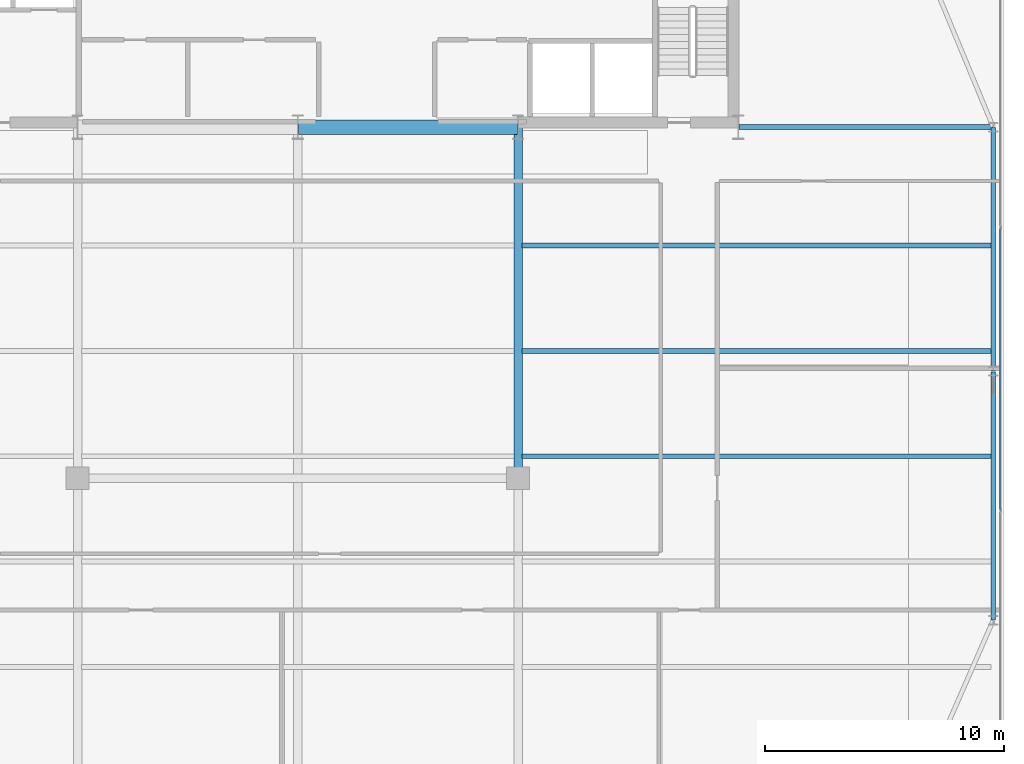
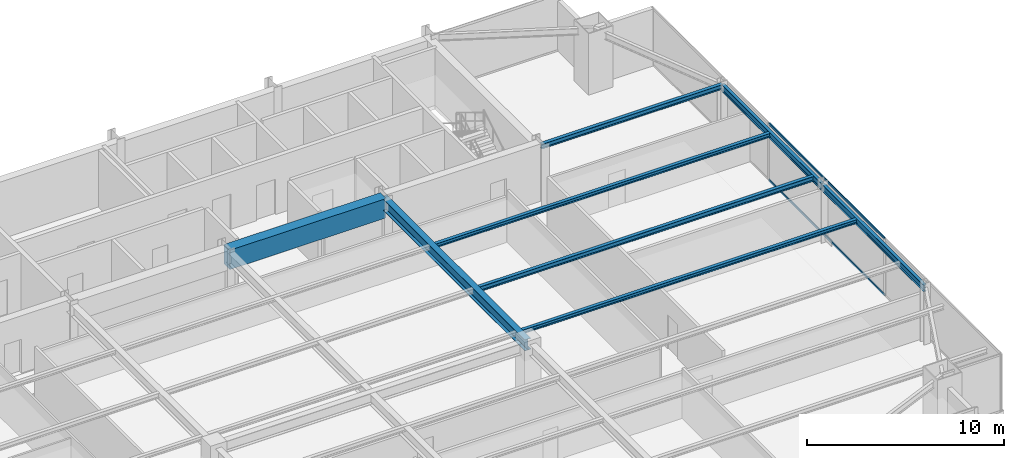
# One storey, part 19 of 33: 8 beams, 2 members, 1 element without a shape of its own.
"""IFC4 building model written with IfcOpenShell, lengths in metres."""

from ifc_helpers import new_model, si_unit, direction, frame, origin, origin_2d, place, context, subcontext, project, spatial, rectangle, hollow_rectangle, i_section, extrude, source, transform, mapped, material, layer, layer_set, material_profile, profile_set, type_object, type_shapes, element, aggregate, save


model = new_model("IFC4")

# Units and contexts
model_context = context("Model", 3, precision=1e-05, world=origin(), true_north=direction((0.0, 1.0)))
body_context = subcontext(model_context, "Body", "Model", "MODEL_VIEW")
ifc_project = project(units=[si_unit("LENGTHUNIT", "METRE"), si_unit("AREAUNIT", "SQUARE_METRE"), si_unit("VOLUMEUNIT", "CUBIC_METRE"), si_unit("PLANEANGLEUNIT", "RADIAN"), si_unit("MASSUNIT", "GRAM", prefix="KILO")], contexts=[model_context])

# Site, building, storey
site_placement = place(None, origin())
site = spatial("IfcSite", under=ifc_project, at=site_placement, CompositionType="ELEMENT")
building_placement = place(site_placement, origin())
building = spatial("IfcBuilding", under=site, at=building_placement, Name="Varnel Quay Broadcast Tower", CompositionType="ELEMENT")
storey_placement = place(building_placement, frame((0.0, 0.0, 129.60009765625)))
storey = spatial("IfcBuildingStorey", under=building, at=storey_placement, Name="L31", CompositionType="ELEMENT", Elevation=129.60009765625)

# Beams
ifc_material_1 = material(Name="Structural Steel CSA G40.21 350W", Category="steel")
ifc_material_profile_1 = material_profile(ifc_material_1, i_section(OverallWidth=0.180908203125, OverallDepth=0.4169921875, WebThickness=0.010986328125, FlangeThickness=0.018310546875, FilletRadius=0.011962890625, at=origin_2d()), Name="W410X85")
ifc_profile_set_1 = profile_set([ifc_material_profile_1], Name="Structural Steel CSA G40.21 350W")
beam_type_1 = type_object("IfcBeamType", Name="Beam_W410X85", PredefinedType="SPANDREL", material=ifc_profile_set_1)
shared_shape_1 = source(origin(), body_context, "Body", "SweptSolid", [
    extrude(i_section(OverallWidth=0.180908203125, OverallDepth=0.4169921875, WebThickness=0.010986328125, FlangeThickness=0.018310546875, FilletRadius=0.011962890625, at=origin_2d()), origin(), (0.0, 0.0, 1.0), 10.35986328125),
])
beam_1_placement = place(storey_placement, frame((63.050048828125, 15.02001953125, 3.34130859375), z_axis=(0.0, 1.0, 0.0), x_axis=(-1.0, 0.0, 0.0)))
element("IfcBeam", 1, at=beam_1_placement, inside=storey, type_object=beam_type_1, Name="L31 East Spandrel TC-E1-TC-E2", PredefinedType="SPANDREL", context=body_context, shape_type="MappedRepresentation", body=[
    mapped(shared_shape_1, transform((0.0, 0.0, 0.0), x_axis=(1.0, 0.0, 0.0), y_axis=(0.0, 1.0, 0.0), z_axis=(0.0, 0.0, 1.0), scale=1.0)),
])
shared_shape_2 = source(origin(), body_context, "Body", "SweptSolid", [
    extrude(i_section(OverallWidth=0.180908203125, OverallDepth=0.4169921875, WebThickness=0.010986328125, FlangeThickness=0.018310546875, FilletRadius=0.011962890625, at=origin_2d()), origin(), (0.0, 0.0, 1.0), 10.16015625),
])
type_shapes(beam_type_1, [shared_shape_1, shared_shape_2])
beam_2_placement = place(storey_placement, frame((63.050048828125, 25.419921875, 3.34130859375), z_axis=(0.0, 1.0, 0.0), x_axis=(-1.0, 0.0, 0.0)))
element("IfcBeam", 2, at=beam_2_placement, inside=storey, type_object=beam_type_1, Name="L31 East Spandrel TC-E2-TC-E3", PredefinedType="SPANDREL", context=body_context, shape_type="MappedRepresentation", body=[
    mapped(shared_shape_2, transform((0.0, 0.0, 0.0), x_axis=(1.0, 0.0, 0.0), y_axis=(0.0, 1.0, 0.0), z_axis=(0.0, 0.0, 1.0), scale=1.0)),
])
ifc_material_2 = material(Name="Concrete CSA A23.3 C60/75", Category="concrete")
ifc_material_profile_2 = material_profile(ifc_material_2, rectangle(XDim=0.60009765625, YDim=1.199951171875, at=origin_2d()), Name="RC600X1200")
ifc_profile_set_2 = profile_set([ifc_material_profile_2], Name="Concrete CSA A23.3 C60/75")
beam_type_2 = type_object("IfcBeamType", Name="Beam_RC600X1200", PredefinedType="BEAM", material=ifc_profile_set_2)
shared_shape_3 = source(origin(), body_context, "Body", "SweptSolid", [
    extrude(rectangle(XDim=0.60009765625, YDim=1.199951171875, at=origin_2d()), origin(), (0.0, 0.0, 1.0), 9.159912109375),
])
type_shapes(beam_type_2, [shared_shape_3])
beam_3_placement = place(storey_placement, frame((34.02001953125, 35.60009765625, 2.949951171875), z_axis=(1.0, 0.0, 0.0), x_axis=(0.0, 1.0, 0.0)))
element("IfcBeam", 3, at=beam_3_placement, inside=storey, type_object=beam_type_2, Name="L31 Core Coupling Beam E", PredefinedType="BEAM", context=body_context, shape_type="MappedRepresentation", body=[
    mapped(shared_shape_3, transform((0.0, 0.0, 0.0), x_axis=(1.0, 0.0, 0.0), y_axis=(0.0, 1.0, 0.0), z_axis=(0.0, 0.0, 1.0), scale=1.0)),
])
ifc_material_profile_3 = material_profile(ifc_material_1, i_section(OverallWidth=0.35498046875, OverallDepth=0.695068359375, WebThickness=0.015380859375, FlangeThickness=0.02490234375, FilletRadius=0.01806640625, at=origin_2d()), Name="W690X217")
ifc_profile_set_3 = profile_set([ifc_material_profile_3], Name="Structural Steel CSA G40.21 350W")
beam_type_3 = type_object("IfcBeamType", Name="Girder_W690X217", PredefinedType="BEAM", material=ifc_profile_set_3)
shared_shape_4 = source(origin(), body_context, "Body", "SweptSolid", [
    extrude(i_section(OverallWidth=0.35498046875, OverallDepth=0.695068359375, WebThickness=0.015380859375, FlangeThickness=0.02490234375, FilletRadius=0.01806640625, at=origin_2d()), origin(), (0.0, 0.0, 1.0), 14.630126953125),
])
type_shapes(beam_type_3, [shared_shape_4])
beam_4_placement = place(storey_placement, frame((43.199951171875, 20.949951171875, 3.202392578125), z_axis=(0.0, 1.0, 0.0), x_axis=(-1.0, 0.0, 0.0)))
element("IfcBeam", 4, at=beam_4_placement, inside=storey, type_object=beam_type_3, Name="L31 Primary Girder IC-02-CC-S4", PredefinedType="BEAM", context=body_context, shape_type="MappedRepresentation", body=[
    mapped(shared_shape_4, transform((0.0, 0.0, 0.0), x_axis=(1.0, 0.0, 0.0), y_axis=(0.0, 1.0, 0.0), z_axis=(0.0, 0.0, 1.0), scale=1.0)),
])
ifc_material_profile_4 = material_profile(ifc_material_1, i_section(OverallWidth=0.202880859375, OverallDepth=0.302978515625, WebThickness=0.007568359375, FlangeThickness=0.01318359375, FilletRadius=0.011962890625, at=origin_2d()), Name="W310X60")
ifc_profile_set_4 = profile_set([ifc_material_profile_4], Name="Structural Steel CSA G40.21 350W")
beam_type_4 = type_object("IfcBeamType", Name="Beam_W310X60", PredefinedType="JOIST", material=ifc_profile_set_4)
shared_shape_5 = source(origin(), body_context, "Body", "SweptSolid", [
    extrude(i_section(OverallWidth=0.202880859375, OverallDepth=0.302978515625, WebThickness=0.007568359375, FlangeThickness=0.01318359375, FilletRadius=0.011962890625, at=origin_2d()), origin(), (0.0, 0.0, 1.0), 10.610107421875),
])
beam_5_placement = place(storey_placement, frame((52.419921875, 35.60009765625, 3.3984375), z_axis=(1.0, 0.0, 0.0), x_axis=(0.0, 1.0, 0.0)))
element("IfcBeam", 5, at=beam_5_placement, inside=storey, type_object=beam_type_4, Name="L31 East Core Tie Joist", PredefinedType="JOIST", context=body_context, shape_type="MappedRepresentation", body=[
    mapped(shared_shape_5, transform((0.0, 0.0, 0.0), x_axis=(1.0, 0.0, 0.0), y_axis=(0.0, 1.0, 0.0), z_axis=(0.0, 0.0, 1.0), scale=1.0)),
])
shared_shape_6 = source(origin(), body_context, "Body", "SweptSolid", [
    extrude(i_section(OverallWidth=0.202880859375, OverallDepth=0.302978515625, WebThickness=0.007568359375, FlangeThickness=0.01318359375, FilletRadius=0.011962890625, at=origin_2d()), origin(), (0.0, 0.0, 1.0), 19.592041015625),
])
type_shapes(beam_type_4, [shared_shape_5, shared_shape_6])
beam_6_placement = place(storey_placement, frame((43.37255859375, 26.25, 3.3984375), z_axis=(1.0, 0.0, 0.0), x_axis=(0.0, 1.0, 0.0)))
element("IfcBeam", 6, at=beam_6_placement, inside=storey, type_object=beam_type_4, Name="L31 East Floor Joist 5", PredefinedType="JOIST", context=body_context, shape_type="MappedRepresentation", body=[
    mapped(shared_shape_6, transform((0.0, 0.0, 0.0), x_axis=(1.0, 0.0, 0.0), y_axis=(0.0, 1.0, 0.0), z_axis=(0.0, 0.0, 1.0), scale=1.0)),
])
ifc_material_profile_5 = material_profile(ifc_material_1, i_section(OverallWidth=0.201904296875, OverallDepth=0.2470703125, WebThickness=0.00732421875, FlangeThickness=0.010986328125, FilletRadius=0.010986328125, at=origin_2d()), Name="W250X49")
ifc_profile_set_5 = profile_set([ifc_material_profile_5], Name="Structural Steel CSA G40.21 350W")
beam_type_5 = type_object("IfcBeamType", Name="Beam_W250X49", PredefinedType="JOIST", material=ifc_profile_set_5)
shared_shape_7 = source(origin(), body_context, "Body", "SweptSolid", [
    extrude(i_section(OverallWidth=0.201904296875, OverallDepth=0.2470703125, WebThickness=0.00732421875, FlangeThickness=0.010986328125, FilletRadius=0.010986328125, at=origin_2d()), origin(), (0.0, 0.0, 1.0), 19.592041015625),
])
type_shapes(beam_type_5, [shared_shape_7])
for number, where, z_axis, x_axis, name in (
    (7, (43.37255859375, 21.85009765625, 3.426513671875), (1.0, 0.0, 0.0), (0.0, 1.0, 0.0), "L31 East Floor Joist 4"),
    (8, (43.37255859375, 30.64990234375, 3.426513671875), (1.0, 0.0, 0.0), (0.0, 1.0, 0.0), "L31 East Floor Joist 6"),
):
    element("IfcBeam", number, at=place(storey_placement, frame(where, z_axis=z_axis, x_axis=x_axis)), inside=storey, type_object=beam_type_5, Name=name, PredefinedType="JOIST", context=body_context, shape_type="MappedRepresentation", body=[
        mapped(shared_shape_7, transform((0.0, 0.0, 0.0), x_axis=(1.0, 0.0, 0.0), y_axis=(0.0, 1.0, 0.0), z_axis=(0.0, 0.0, 1.0), scale=1.0)),
    ])

# Curtain wall, members
ifc_material_3 = material(Name="Anodised Bronze Aluminium 6063-T6", Category="aluminium")
ifc_layer = layer(ifc_material_3, 0.18994140625, Name="Anodised Bronze Aluminium 6063-T6")
ifc_layer_set = layer_set([ifc_layer], Name="Anodised Bronze Aluminium 6063-T6")
curtain_wall_type = type_object("IfcCurtainWallType", Name="CW_LowerTower", PredefinedType="NOTDEFINED", material=ifc_layer_set)
curtain_wall_placement = place(storey_placement, origin())
curtain_wall = element("IfcCurtainWall", 9, at=curtain_wall_placement, inside=storey, type_object=curtain_wall_type, Name="L31 East Unitised Curtain Wall", PredefinedType="NOTDEFINED")
ifc_material_profile_6 = material_profile(ifc_material_3, hollow_rectangle(XDim=0.06005859375, YDim=0.14501953125, WallThickness=0.00341796875, at=origin_2d()), Name="ALU60X145X3.5")
ifc_profile_set_6 = profile_set([ifc_material_profile_6], Name="Anodised Bronze Aluminium 6063-T6")
member_type = type_object("IfcMemberType", Name="Tran_CWS-02", PredefinedType="USERDEFINED", material=ifc_profile_set_6)
shared_shape_8 = source(origin(), body_context, "Body", "SweptSolid", [
    extrude(hollow_rectangle(XDim=0.06005859375, YDim=0.14501953125, WallThickness=0.00341796875, at=origin_2d()), origin(), (0.0, 0.0, 1.0), 11.72998046875),
])
type_shapes(member_type, [shared_shape_8])
member_1_placement = place(storey_placement, frame((63.35009765625, 19.635009765625, 0.02978515625), z_axis=(0.0, 1.0, 0.0), x_axis=(-1.0, 0.0, 0.0)))
member_1 = element("IfcMember", 10, at=member_1_placement, type_object=member_type, Name="CWS-02 transom 2.1", ObjectType="TRANSOM", PredefinedType="USERDEFINED", context=body_context, shape_type="MappedRepresentation", body=[
    mapped(shared_shape_8, transform((0.0, 0.0, 0.0), x_axis=(1.0, 0.0, 0.0), y_axis=(0.0, 1.0, 0.0), z_axis=(0.0, 0.0, 1.0), scale=1.0)),
])
member_2_placement = place(storey_placement, frame((63.35009765625, 19.635009765625, 3.52001953125), z_axis=(0.0, 1.0, 0.0), x_axis=(-1.0, 0.0, 0.0)))
member_2 = element("IfcMember", 11, at=member_2_placement, type_object=member_type, Name="CWS-02 transom 2.2", ObjectType="TRANSOM", PredefinedType="USERDEFINED", context=body_context, shape_type="MappedRepresentation", body=[
    mapped(shared_shape_8, transform((0.0, 0.0, 0.0), x_axis=(1.0, 0.0, 0.0), y_axis=(0.0, 1.0, 0.0), z_axis=(0.0, 0.0, 1.0), scale=1.0)),
])
aggregate(curtain_wall, [member_1, member_2])

save(model, "model.ifc")
